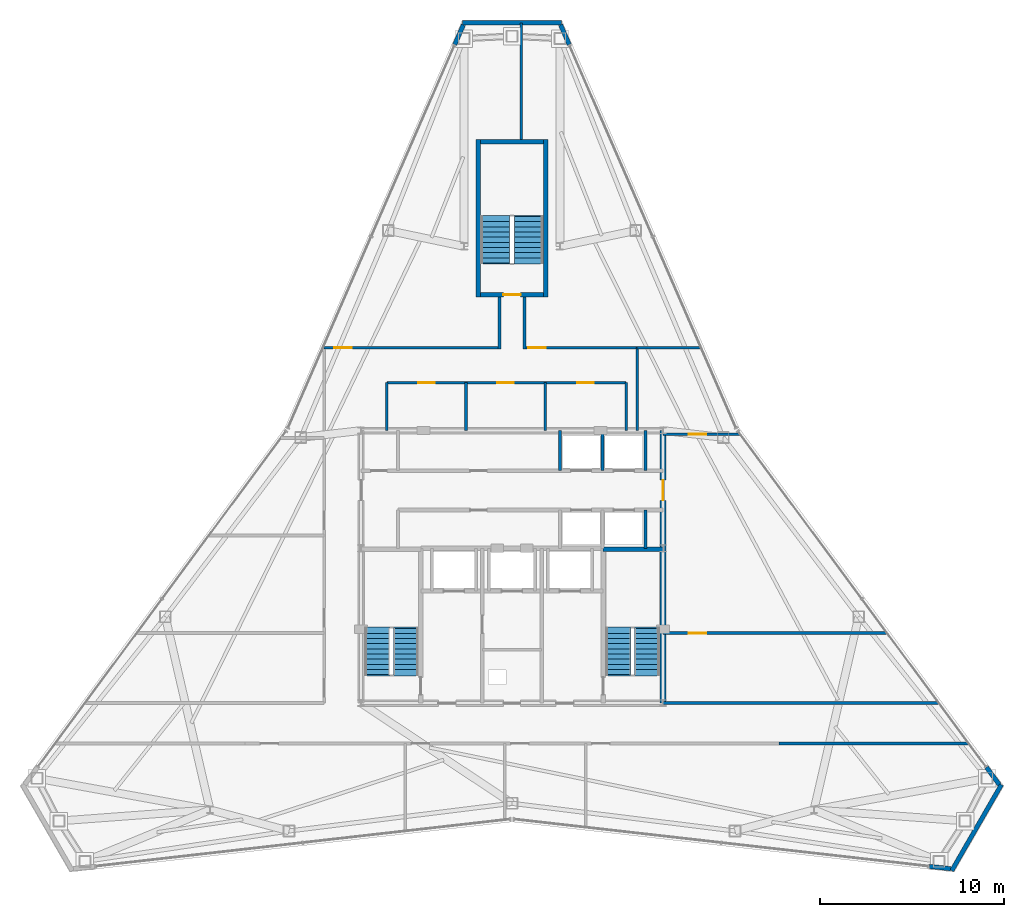
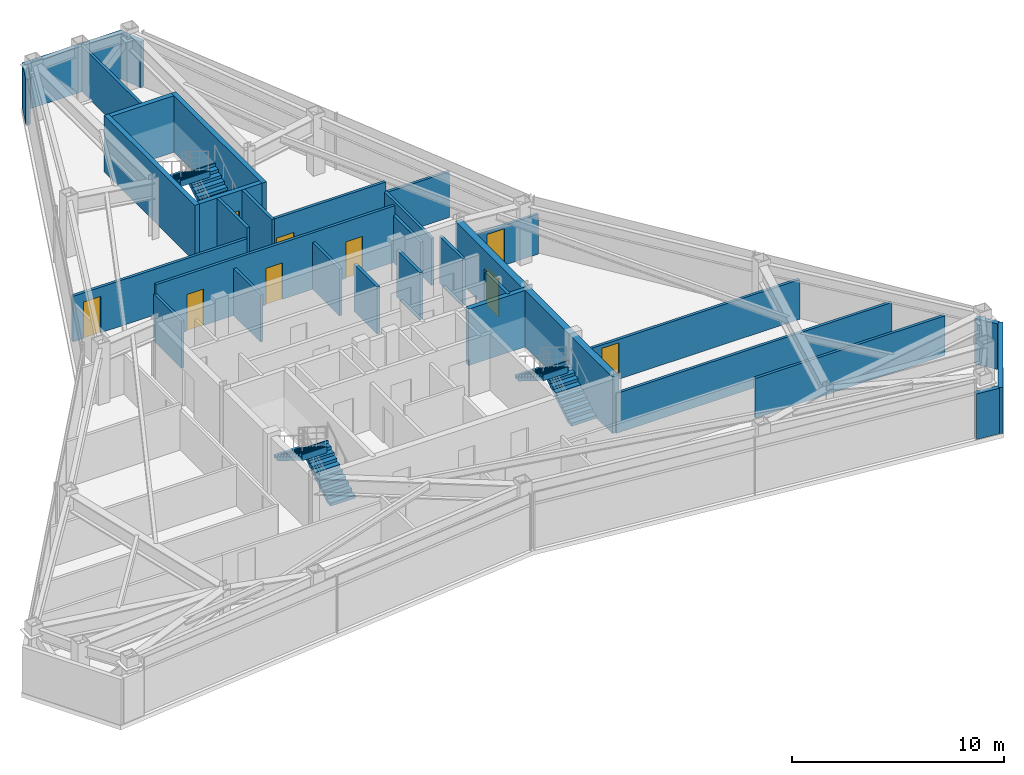
# One storey, part 10 of 11: 32 walls, 9 doors, 6 stair flights, 9 openings, 3 elements without a shape of their own.
"""IFC4 building model written with IfcOpenShell, lengths in metres."""

from ifc_helpers import new_model, si_unit, direction, frame, frame_2d, origin, place, context, subcontext, project, spatial, polyline, rectangle, outline, extrude, material, layer, layer_set, type_object, element, fill, aggregate, save


model = new_model("IFC4")

# Units and contexts
model_context = context("Model", 3, precision=1e-05, world=origin(), true_north=direction((0.0, 1.0)))
body_context = subcontext(model_context, "Body", "Model", "MODEL_VIEW")
ifc_project = project(units=[si_unit("LENGTHUNIT", "METRE"), si_unit("AREAUNIT", "SQUARE_METRE"), si_unit("VOLUMEUNIT", "CUBIC_METRE"), si_unit("PLANEANGLEUNIT", "RADIAN"), si_unit("MASSUNIT", "GRAM", prefix="KILO")], contexts=[model_context])

# Site, building, storey
site_placement = place(None, origin())
site = spatial("IfcSite", under=ifc_project, at=site_placement, CompositionType="ELEMENT")
building_placement = place(site_placement, origin())
building = spatial("IfcBuilding", under=site, at=building_placement, Name="Varakhsha Concourse Tower", CompositionType="ELEMENT")
storey_placement = place(building_placement, frame((0.0, 0.0, 279.5)))
storey = spatial("IfcBuildingStorey", under=building, at=storey_placement, Name="L79", CompositionType="ELEMENT", Elevation=279.5)

# Wall, opening, door
ifc_material_1 = material(Name="Concrete fc 65 MPa", Category="concrete")
ifc_layer_1 = layer(ifc_material_1, 0.35009765625, Name="WL-CORE-350")
ifc_layer_set_1 = layer_set([ifc_layer_1], Name="Concrete fc 65 MPa")
wall_type_1 = type_object("IfcWallType", Name="WL-CORE-350", PredefinedType="SHEAR", material=ifc_layer_set_1)
wall_1_placement = place(storey_placement, frame((48.199951171875, 16.39990234375, 0.0), z_axis=(0.0, 0.0, 1.0), x_axis=(0.0, 1.0, 0.0)))
wall_1 = element("IfcWall", 1, at=wall_1_placement, inside=storey, type_object=wall_type_1, Name="L79 Wall CWALL-E-L79", PredefinedType="SHEAR", context=body_context, shape_type="SweptSolid", body=[
    extrude(rectangle(XDim=14.800048828125, YDim=0.35009765625, at=frame_2d((7.39990234375, 0.0))), origin(), (0.0, 0.0, 1.0), 3.25),
])
opening_1_placement = place(wall_1_placement, frame((11.0, 0.0, 0.0)))
opening_1 = element("IfcOpeningElement", 2, at=opening_1_placement, cuts=wall_1, Name="Opening DL-01", PredefinedType="OPENING", context=body_context, shape_type="SweptSolid", body=[
    extrude(rectangle(XDim=1.10009765625, YDim=2.14990234375, at=frame_2d((0.550048828125, 1.074951171875))), frame((0.0, 0.18505859375, 0.0), z_axis=(0.0, -1.0, 0.0), x_axis=(1.0, 0.0, 0.0)), (0.0, 0.0, 1.0), 0.3701171875),
])
ifc_material_2 = material(Name="Anodised Bronze Architectural Aluminium AA 6063-T6", Category="aluminium")
door_type_1 = type_object("IfcDoorType", Name="DR-LOB-1100", OperationType="NOTDEFINED", PredefinedType="DOOR", material=ifc_material_2)
door_1_placement = place(opening_1_placement, origin())
door_1 = element("IfcDoor", 3, at=door_1_placement, inside=storey, type_object=door_type_1, Name="L79 Lift Lobby East Concourse Door", OperationType="SINGLE_SWING_RIGHT", OverallHeight=2.14990234375, OverallWidth=1.10009765625, PredefinedType="DOOR", context=body_context, shape_type="SweptSolid", body=[
    extrude(rectangle(XDim=1.10009765625, YDim=2.14990234375, at=frame_2d((0.550048828125, 1.074951171875))), frame((0.0, 0.02490234375, 0.0), z_axis=(0.0, -1.0, 0.0), x_axis=(1.0, 0.0, 0.0)), (0.0, 0.0, 1.0), 0.050048828125),
])
fill(opening_1, door_1)

# Walls
ifc_material_3 = material(Name="Concrete fc 45 MPa", Category="concrete")
ifc_layer_2 = layer(ifc_material_3, 0.239990234375, Name="WL-EXT-CRN-240")
ifc_layer_set_2 = layer_set([ifc_layer_2], Name="Concrete fc 45 MPa")
wall_type_2 = type_object("IfcWallType", Name="WL-EXT-CRN-240", PredefinedType="SHEAR", material=ifc_layer_set_2)
wall_2_placement = place(storey_placement, frame((37.300048828125, 53.3369140625, 0.0), z_axis=(0.0, 0.0, 1.0), x_axis=(1.0, 0.0, 0.0)))
element("IfcWall", 4, at=wall_2_placement, inside=storey, type_object=wall_type_2, Name="L79 Chamfer Wind-Corner Insulated Wall F1", PredefinedType="SHEAR", context=body_context, shape_type="SweptSolid", body=[
    extrude(rectangle(XDim=5.39990234375, YDim=0.239990234375, at=frame_2d((2.699951171875, 0.0))), origin(), (0.0, 0.0, 1.0), 2.623046875),
])
for number, where, z_axis, x_axis, name in (
    (5, (37.35888671875, 53.231201171875, 0.0), (0.0, 0.0, 1.0), (-0.398986072719, -0.916956985783, 0.0), "L79 Wind-Corner Shoulder Wall F2"),
    (6, (62.6611328125, 7.52880859375, 0.0), (0.0, 0.0, 1.0), (0.993628691443, -0.112703254353, 0.0), "L79 Wind-Corner Shoulder Wall F6"),
):
    element("IfcWall", number, at=place(storey_placement, frame(where, z_axis=z_axis, x_axis=x_axis)), inside=storey, type_object=wall_type_2, Name=name, PredefinedType="SHEAR", context=body_context, shape_type="SweptSolid", body=[
        extrude(rectangle(XDim=1.16748046875, YDim=0.239990234375, at=frame_2d((0.583740234375, 0.0))), origin(), (0.0, 0.0, 1.0), 2.623046875),
    ])
wall_3_placement = place(storey_placement, frame((66.5830078125, 11.969970703125, 0.0), z_axis=(0.0, 0.0, 1.0), x_axis=(-0.49997552693, -0.866039532857, 0.0)))
element("IfcWall", 7, at=wall_3_placement, inside=storey, type_object=wall_type_2, Name="L79 Chamfer Wind-Corner Insulated Wall F7", PredefinedType="SHEAR", context=body_context, shape_type="SweptSolid", body=[
    extrude(rectangle(XDim=5.400146484375, YDim=0.239990234375, at=frame_2d((2.7001953125, 0.0))), origin(), (0.0, 0.0, 1.0), 2.623046875),
])
for number, where, z_axis, x_axis, name in (
    (8, (66.46240234375, 11.9716796875, 0.0), (0.0, 0.0, 1.0), (-0.594532170537, 0.804071824029, 0.0), "L79 Wind-Corner Shoulder Wall F8"),
    (9, (43.10693359375, 52.16064453125, 0.0), (0.0, 0.0, 1.0), (-0.398986072719, 0.916956985783, 0.0), "L79 Wind-Corner Shoulder Wall F9"),
):
    element("IfcWall", number, at=place(storey_placement, frame(where, z_axis=z_axis, x_axis=x_axis)), inside=storey, type_object=wall_type_2, Name=name, PredefinedType="SHEAR", context=body_context, shape_type="SweptSolid", body=[
        extrude(rectangle(XDim=1.16748046875, YDim=0.239990234375, at=frame_2d((0.583740234375, 0.0))), origin(), (0.0, 0.0, 1.0), 2.623046875),
    ])

# Wall, openings, doors
ifc_material_4 = material(Name="Fire-Rated Type X Gypsum Partition Assembly", Category="gypsum")
ifc_layer_3 = layer(ifc_material_4, 0.14990234375, Name="WL-PART-150")
ifc_layer_set_3 = layer_set([ifc_layer_3], Name="Fire-Rated Type X Gypsum Partition Assembly")
wall_type_3 = type_object("IfcWallType", Name="WL-PART-150", PredefinedType="PARTITIONING", material=ifc_layer_set_3)
wall_4_placement = place(storey_placement, frame((33.199951171875, 33.800048828125, 0.0), z_axis=(0.0, 0.0, 1.0), x_axis=(1.0, 0.0, 0.0)))
wall_4 = element("IfcWall", 10, at=wall_4_placement, inside=storey, type_object=wall_type_3, Name="L79 Wall NBOH-N-L79", PredefinedType="PARTITIONING", context=body_context, shape_type="SweptSolid", body=[
    extrude(rectangle(XDim=13.0, YDim=0.14990234375, at=frame_2d((6.5, 0.0))), origin(), (0.0, 0.0, 1.0), 3.25),
])
opening_2_placement = place(wall_4_placement, frame((1.699951171875, 0.0, 0.0)))
opening_2 = element("IfcOpeningElement", 11, at=opening_2_placement, cuts=wall_4, Name="Opening DF-06", PredefinedType="OPENING", context=body_context, shape_type="SweptSolid", body=[
    extrude(rectangle(XDim=0.89990234375, YDim=2.10009765625, at=frame_2d((0.449951171875, 1.050048828125))), frame((0.0, 0.0849609375, 0.0), z_axis=(0.0, -1.0, 0.0), x_axis=(1.0, 0.0, 0.0)), (0.0, 0.0, 1.0), 0.169921875),
])
opening_3_placement = place(wall_4_placement, frame((6.0, 0.0, 0.0)))
opening_3 = element("IfcOpeningElement", 12, at=opening_3_placement, cuts=wall_4, Name="Opening DF-06", PredefinedType="OPENING", context=body_context, shape_type="SweptSolid", body=[
    extrude(rectangle(XDim=0.89990234375, YDim=2.10009765625, at=frame_2d((0.449951171875, 1.050048828125))), frame((0.0, 0.0849609375, 0.0), z_axis=(0.0, -1.0, 0.0), x_axis=(1.0, 0.0, 0.0)), (0.0, 0.0, 1.0), 0.169921875),
])
opening_4_placement = place(wall_4_placement, frame((10.35009765625, 0.0, 0.0)))
opening_4 = element("IfcOpeningElement", 13, at=opening_4_placement, cuts=wall_4, Name="Opening DF-06", PredefinedType="OPENING", context=body_context, shape_type="SweptSolid", body=[
    extrude(rectangle(XDim=0.89990234375, YDim=2.10009765625, at=frame_2d((0.449951171875, 1.050048828125))), frame((0.0, 0.0849609375, 0.0), z_axis=(0.0, -1.0, 0.0), x_axis=(1.0, 0.0, 0.0)), (0.0, 0.0, 1.0), 0.169921875),
])
ifc_material_5 = material(Name="Hollow Galvanised Steel Fire Door Assembly", Category="steel")
door_type_2 = type_object("IfcDoorType", Name="DR-FD60-900", OperationType="NOTDEFINED", PredefinedType="DOOR", material=ifc_material_5)
door_2_placement = place(opening_2_placement, origin())
door_2 = element("IfcDoor", 14, at=door_2_placement, inside=storey, type_object=door_type_2, Name="L79 Men Restroom WC Door", OperationType="SINGLE_SWING_LEFT", OverallHeight=2.10009765625, OverallWidth=0.89990234375, PredefinedType="DOOR", context=body_context, shape_type="SweptSolid", body=[
    extrude(rectangle(XDim=0.89990234375, YDim=2.10009765625, at=frame_2d((0.449951171875, 1.050048828125))), frame((0.0, 0.02490234375, 0.0), z_axis=(0.0, -1.0, 0.0), x_axis=(1.0, 0.0, 0.0)), (0.0, 0.0, 1.0), 0.050048828125),
])
fill(opening_2, door_2)
door_3_placement = place(opening_3_placement, origin())
door_3 = element("IfcDoor", 15, at=door_3_placement, inside=storey, type_object=door_type_2, Name="L79 Women Restroom WC Door", OperationType="SINGLE_SWING_RIGHT", OverallHeight=2.10009765625, OverallWidth=0.89990234375, PredefinedType="DOOR", context=body_context, shape_type="SweptSolid", body=[
    extrude(rectangle(XDim=0.89990234375, YDim=2.10009765625, at=frame_2d((0.449951171875, 1.050048828125))), frame((0.0, 0.02490234375, 0.0), z_axis=(0.0, -1.0, 0.0), x_axis=(1.0, 0.0, 0.0)), (0.0, 0.0, 1.0), 0.050048828125),
])
fill(opening_3, door_3)
door_4_placement = place(opening_4_placement, origin())
door_4 = element("IfcDoor", 16, at=door_4_placement, inside=storey, type_object=door_type_2, Name="L79 Accessible WC Door", OperationType="SINGLE_SWING_LEFT", OverallHeight=2.10009765625, OverallWidth=0.89990234375, PredefinedType="DOOR", context=body_context, shape_type="SweptSolid", body=[
    extrude(rectangle(XDim=0.89990234375, YDim=2.10009765625, at=frame_2d((0.449951171875, 1.050048828125))), frame((0.0, 0.02490234375, 0.0), z_axis=(0.0, -1.0, 0.0), x_axis=(1.0, 0.0, 0.0)), (0.0, 0.0, 1.0), 0.050048828125),
])
fill(opening_4, door_4)

# Walls
for number, where, z_axis, x_axis, name in (
    (17, (33.199951171875, 31.199951171875, 0.0), (0.0, 0.0, 1.0), (0.0, 1.0, 0.0), "L79 Wall NBOH-W-L79"),
    (18, (46.199951171875, 31.199951171875, 0.0), (0.0, 0.0, 1.0), (0.0, 1.0, 0.0), "L79 Wall NBOH-E-L79"),
    (19, (37.5, 31.199951171875, 0.0), (0.0, 0.0, 1.0), (0.0, 1.0, 0.0), "L79 Wall NBOH-D1-L79"),
    (20, (41.800048828125, 31.199951171875, 0.0), (0.0, 0.0, 1.0), (0.0, 1.0, 0.0), "L79 Wall NBOH-D2-L79"),
):
    element("IfcWall", number, at=place(storey_placement, frame(where, z_axis=z_axis, x_axis=x_axis)), inside=storey, type_object=wall_type_3, Name=name, PredefinedType="PARTITIONING", context=body_context, shape_type="SweptSolid", body=[
        extrude(rectangle(XDim=2.60009765625, YDim=0.14990234375, at=frame_2d((1.300048828125, 0.0))), origin(), (0.0, 0.0, 1.0), 2.705078125),
    ])
wall_5_placement = place(storey_placement, frame((54.5, 14.199951171875, 0.0), z_axis=(0.0, 0.0, 1.0), x_axis=(1.0, 0.0, 0.0)))
element("IfcWall", 21, at=wall_5_placement, inside=storey, type_object=wall_type_3, Name="L79 Wall CRW-SGAL-SE-L79", PredefinedType="PARTITIONING", context=body_context, shape_type="SweptSolid", body=[
    extrude(rectangle(XDim=10.308349609375, YDim=0.14990234375, at=frame_2d((5.154296875, 0.0))), origin(), (0.0, 0.0, 1.0), 2.2919921875),
])
wall_6_placement = place(storey_placement, frame((48.199951171875, 16.39990234375, 0.0), z_axis=(0.0, 0.0, 1.0), x_axis=(1.0, 0.0, 0.0)))
element("IfcWall", 22, at=wall_6_placement, inside=storey, type_object=wall_type_3, Name="L79 Wall CRW-SGAL-NE-L79", PredefinedType="PARTITIONING", context=body_context, shape_type="SweptSolid", body=[
    extrude(rectangle(XDim=14.981689453125, YDim=0.14990234375, at=frame_2d((7.49072265625, 0.0))), origin(), (0.0, 0.0, 1.0), 2.2919921875),
])

# Wall, opening, door
wall_7_placement = place(storey_placement, frame((29.800048828125, 35.699951171875, 0.0), z_axis=(0.0, 0.0, 1.0), x_axis=(1.0, 0.0, 0.0)))
wall_7 = element("IfcWall", 23, at=wall_7_placement, inside=storey, type_object=wall_type_3, Name="L79 Wall CRW-N-L79", PredefinedType="PARTITIONING", context=body_context, shape_type="SweptSolid", body=[
    extrude(rectangle(XDim=9.449951171875, YDim=0.14990234375, at=frame_2d((4.72509765625, 0.0))), origin(), (0.0, 0.0, 1.0), 2.6279296875),
])
opening_5_placement = place(wall_7_placement, frame((0.550048828125, 0.0, 0.0)))
opening_5 = element("IfcOpeningElement", 24, at=opening_5_placement, cuts=wall_7, Name="Opening DF-05", PredefinedType="OPENING", context=body_context, shape_type="SweptSolid", body=[
    extrude(rectangle(XDim=0.949951171875, YDim=2.10009765625, at=frame_2d((0.47509765625, 1.050048828125))), frame((0.0, 0.0849609375, 0.0), z_axis=(0.0, -1.0, 0.0), x_axis=(1.0, 0.0, 0.0)), (0.0, 0.0, 1.0), 0.169921875),
])
door_type_3 = type_object("IfcDoorType", Name="DR-FD60-950", OperationType="NOTDEFINED", PredefinedType="DOOR", material=ifc_material_5)
door_5_placement = place(opening_5_placement, origin())
door_5 = element("IfcDoor", 25, at=door_5_placement, inside=storey, type_object=door_type_3, Name="L79 Mountain View Grand Corner Boardroom L79-N1 Door", OperationType="SINGLE_SWING_LEFT", OverallHeight=2.10009765625, OverallWidth=0.949951171875, PredefinedType="DOOR", context=body_context, shape_type="SweptSolid", body=[
    extrude(rectangle(XDim=0.949951171875, YDim=2.10009765625, at=frame_2d((0.47509765625, 1.050048828125))), frame((0.0, 0.02490234375, 0.0), z_axis=(0.0, -1.0, 0.0), x_axis=(1.0, 0.0, 0.0)), (0.0, 0.0, 1.0), 0.050048828125),
])
fill(opening_5, door_5)

wall_8_placement = place(storey_placement, frame((40.75, 35.699951171875, 0.0), z_axis=(0.0, 0.0, 1.0), x_axis=(1.0, 0.0, 0.0)))
wall_8 = element("IfcWall", 26, at=wall_8_placement, inside=storey, type_object=wall_type_3, Name="L79 Wall CRW-N-L79-B", PredefinedType="PARTITIONING", context=body_context, shape_type="SweptSolid", body=[
    extrude(rectangle(XDim=6.050048828125, YDim=0.14990234375, at=frame_2d((3.02490234375, 0.0))), origin(), (0.0, 0.0, 1.0), 3.25),
])
opening_6_placement = place(wall_8_placement, frame((0.1201171875, 0.0, 0.0)))
opening_6 = element("IfcOpeningElement", 27, at=opening_6_placement, cuts=wall_8, Name="Opening DF-05", PredefinedType="OPENING", context=body_context, shape_type="SweptSolid", body=[
    extrude(rectangle(XDim=0.949951171875, YDim=2.10009765625, at=frame_2d((0.47509765625, 1.050048828125))), frame((0.0, 0.0849609375, 0.0), z_axis=(0.0, -1.0, 0.0), x_axis=(1.0, 0.0, 0.0)), (0.0, 0.0, 1.0), 0.169921875),
])
door_6_placement = place(opening_6_placement, origin())
door_6 = element("IfcDoor", 28, at=door_6_placement, inside=storey, type_object=door_type_3, Name="L79 North Executive Director Suite L79-N2 Door", OperationType="SINGLE_SWING_RIGHT", OverallHeight=2.10009765625, OverallWidth=0.949951171875, PredefinedType="DOOR", context=body_context, shape_type="SweptSolid", body=[
    extrude(rectangle(XDim=0.949951171875, YDim=2.10009765625, at=frame_2d((0.47509765625, 1.050048828125))), frame((0.0, 0.02490234375, 0.0), z_axis=(0.0, -1.0, 0.0), x_axis=(1.0, 0.0, 0.0)), (0.0, 0.0, 1.0), 0.050048828125),
])
fill(opening_6, door_6)

# Walls
wall_9_placement = place(storey_placement, frame((46.800048828125, 31.199951171875, 0.0), z_axis=(0.0, 0.0, 1.0), x_axis=(0.0, 1.0, 0.0)))
element("IfcWall", 29, at=wall_9_placement, inside=storey, type_object=wall_type_3, Name="L79 Wall CRW-NE-L79", PredefinedType="PARTITIONING", context=body_context, shape_type="SweptSolid", body=[
    extrude(rectangle(XDim=4.5, YDim=0.14990234375, at=frame_2d((2.25, 0.0))), origin(), (0.0, 0.0, 1.0), 2.705078125),
])
wall_10_placement = place(storey_placement, frame((46.800048828125, 35.699951171875, 0.0), z_axis=(0.0, 0.0, 1.0), x_axis=(1.0, 0.0, 0.0)))
element("IfcWall", 30, at=wall_10_placement, inside=storey, type_object=wall_type_3, Name="L79 Wall ODIV-EBN-L79", PredefinedType="PARTITIONING", context=body_context, shape_type="SweptSolid", body=[
    extrude(rectangle(XDim=3.466064453125, YDim=0.14990234375, at=frame_2d((1.73291015625, 0.0))), origin(), (0.0, 0.0, 1.0), 2.6279296875),
])

# Wall, opening, door
wall_11_placement = place(storey_placement, frame((48.199951171875, 20.199951171875, 0.0), z_axis=(0.0, 0.0, 1.0), x_axis=(1.0, 0.0, 0.0)))
wall_11 = element("IfcWall", 31, at=wall_11_placement, inside=storey, type_object=wall_type_3, Name="L79 Wall ODIV-E1-L79", PredefinedType="PARTITIONING", context=body_context, shape_type="SweptSolid", body=[
    extrude(rectangle(XDim=12.172119140625, YDim=0.14990234375, at=frame_2d((6.0859375, 0.0))), origin(), (0.0, 0.0, 1.0), 2.2919921875),
])
opening_7_placement = place(wall_11_placement, frame((1.39990234375, 0.0, 0.0)))
opening_7 = element("IfcOpeningElement", 32, at=opening_7_placement, cuts=wall_11, Name="Opening DF-05", PredefinedType="OPENING", context=body_context, shape_type="SweptSolid", body=[
    extrude(rectangle(XDim=0.949951171875, YDim=2.10009765625, at=frame_2d((0.47509765625, 1.050048828125))), frame((0.0, 0.0849609375, 0.0), z_axis=(0.0, -1.0, 0.0), x_axis=(1.0, 0.0, 0.0)), (0.0, 0.0, 1.0), 0.169921875),
])
door_7_placement = place(opening_7_placement, origin())
door_7 = element("IfcDoor", 33, at=door_7_placement, inside=storey, type_object=door_type_3, Name="L79 East Suite Interconnect Door 1", OperationType="SINGLE_SWING_LEFT", OverallHeight=2.10009765625, OverallWidth=0.949951171875, PredefinedType="DOOR", context=body_context, shape_type="SweptSolid", body=[
    extrude(rectangle(XDim=0.949951171875, YDim=2.10009765625, at=frame_2d((0.47509765625, 1.050048828125))), frame((0.0, 0.02490234375, 0.0), z_axis=(0.0, -1.0, 0.0), x_axis=(1.0, 0.0, 0.0)), (0.0, 0.0, 1.0), 0.050048828125),
])
fill(opening_7, door_7)

wall_12_placement = place(storey_placement, frame((48.199951171875, 31.0, 0.0), z_axis=(0.0, 0.0, 1.0), x_axis=(1.0, 0.0, 0.0)))
wall_12 = element("IfcWall", 34, at=wall_12_placement, inside=storey, type_object=wall_type_3, Name="L79 Wall ODIV-E2-L79", PredefinedType="PARTITIONING", context=body_context, shape_type="SweptSolid", body=[
    extrude(rectangle(XDim=4.186767578125, YDim=0.14990234375, at=frame_2d((2.09326171875, 0.0))), origin(), (0.0, 0.0, 1.0), 2.2919921875),
])
opening_8_placement = place(wall_12_placement, frame((1.39990234375, 0.0, 0.0)))
opening_8 = element("IfcOpeningElement", 35, at=opening_8_placement, cuts=wall_12, Name="Opening DF-05", PredefinedType="OPENING", context=body_context, shape_type="SweptSolid", body=[
    extrude(rectangle(XDim=0.949951171875, YDim=2.10009765625, at=frame_2d((0.47509765625, 1.050048828125))), frame((0.0, 0.0849609375, 0.0), z_axis=(0.0, -1.0, 0.0), x_axis=(1.0, 0.0, 0.0)), (0.0, 0.0, 1.0), 0.169921875),
])
door_8_placement = place(opening_8_placement, origin())
door_8 = element("IfcDoor", 36, at=door_8_placement, inside=storey, type_object=door_type_3, Name="L79 East Suite Interconnect Door 2", OperationType="SINGLE_SWING_RIGHT", OverallHeight=2.10009765625, OverallWidth=0.949951171875, PredefinedType="DOOR", context=body_context, shape_type="SweptSolid", body=[
    extrude(rectangle(XDim=0.949951171875, YDim=2.10009765625, at=frame_2d((0.47509765625, 1.050048828125))), frame((0.0, 0.02490234375, 0.0), z_axis=(0.0, -1.0, 0.0), x_axis=(1.0, 0.0, 0.0)), (0.0, 0.0, 1.0), 0.050048828125),
])
fill(opening_8, door_8)

# Walls
wall_13_placement = place(storey_placement, frame((40.5, 47.0, 0.0), z_axis=(0.0, 0.0, 1.0), x_axis=(0.0, 1.0, 0.0)))
element("IfcWall", 37, at=wall_13_placement, inside=storey, type_object=wall_type_3, Name="L79 Wall ODIV-N1-L79", PredefinedType="PARTITIONING", context=body_context, shape_type="SweptSolid", body=[
    extrude(rectangle(XDim=6.331787109375, YDim=0.14990234375, at=frame_2d((3.166015625, 0.0))), origin(), (0.0, 0.0, 1.0), 2.6279296875),
])
for number, where, z_axis, x_axis, name in (
    (38, (39.324951171875, 35.625, 0.0), (0.0, 0.0, 1.0), (0.0, 1.0, 0.0), "L79 Wall STUB-W-L79"),
    (39, (40.675048828125, 35.625, 0.0), (0.0, 0.0, 1.0), (0.0, 1.0, 0.0), "L79 Wall STUB-E-L79"),
):
    element("IfcWall", number, at=place(storey_placement, frame(where, z_axis=z_axis, x_axis=x_axis)), inside=storey, type_object=wall_type_3, Name=name, PredefinedType="PARTITIONING", context=body_context, shape_type="SweptSolid", body=[
        extrude(rectangle(XDim=2.824951171875, YDim=0.14990234375, at=frame_2d((1.41259765625, 0.0))), origin(), (0.0, 0.0, 1.0), 3.25),
    ])
ifc_layer_4 = layer(ifc_material_4, 0.199951171875, Name="WL-SHAFT-220")
ifc_layer_set_4 = layer_set([ifc_layer_4], Name="Fire-Rated Type X Gypsum Partition Assembly")
wall_type_4 = type_object("IfcWallType", Name="WL-SHAFT-220", PredefinedType="SOLIDWALL", material=ifc_layer_set_4)
for number, where, z_axis, x_axis, name in (
    (40, (42.60009765625, 29.02001953125, 0.0), (0.0, 0.0, 1.0), (0.0, 1.0, 0.0), "L79 Wall SHW-LF-P09-W-L79"),
    (41, (44.919921875, 29.02001953125, 0.0), (0.0, 0.0, 1.0), (0.0, 1.0, 0.0), "L79 Wall SHW-LF-P09-E-L79"),
    (42, (47.239990234375, 29.02001953125, 0.0), (0.0, 0.0, 1.0), (0.0, 1.0, 0.0), "L79 Wall SHW-LF-P10-E-L79"),
):
    element("IfcWall", number, at=place(storey_placement, frame(where, z_axis=z_axis, x_axis=x_axis)), inside=storey, type_object=wall_type_4, Name=name, PredefinedType="SOLIDWALL", context=body_context, shape_type="SweptSolid", body=[
        extrude(rectangle(XDim=2.179931640625, YDim=0.159912109375, at=frame_2d((1.08984375, 0.0))), origin(), (0.0, 0.0, 1.0), 2.705078125),
    ])
wall_14_placement = place(storey_placement, frame((47.239990234375, 24.800048828125, 0.0), z_axis=(0.0, 0.0, 1.0), x_axis=(0.0, 1.0, 0.0)))
element("IfcWall", 43, at=wall_14_placement, inside=storey, type_object=wall_type_4, Name="L79 Wall SHW-LF-P12-E-L79", PredefinedType="SOLIDWALL", context=body_context, shape_type="SweptSolid", body=[
    extrude(rectangle(XDim=2.079833984375, YDim=0.159912109375, at=frame_2d((1.0400390625, 0.0))), origin(), (0.0, 0.0, 1.0), 3.25),
])
ifc_layer_5 = layer(ifc_material_3, 0.25, Name="WL-STAIR-250")
ifc_layer_set_5 = layer_set([ifc_layer_5], Name="Concrete fc 45 MPa")
wall_type_5 = type_object("IfcWallType", Name="WL-STAIR-250", PredefinedType="SHEAR", material=ifc_layer_set_5)
wall_15_placement = place(storey_placement, frame((44.955078125, 24.7548828125, 0.0), z_axis=(0.0, 0.0, 1.0), x_axis=(1.0, 0.0, 0.0)))
element("IfcWall", 44, at=wall_15_placement, inside=storey, type_object=wall_type_5, Name="L79 Wall SWALL-ST2-N-L79", PredefinedType="SHEAR", context=body_context, shape_type="SweptSolid", body=[
    extrude(rectangle(XDim=3.244873046875, YDim=0.25, at=frame_2d((1.62255859375, 0.0))), origin(), (0.0, 0.0, 1.0), 3.25),
])
for number, where, z_axis, x_axis, name in (
    (45, (38.175048828125, 38.449951171875, 0.0), (0.0, 0.0, 1.0), (0.0, 1.0, 0.0), "L79 Wall SWALL-ST5-W-L79"),
    (46, (41.824951171875, 38.449951171875, 0.0), (0.0, 0.0, 1.0), (0.0, 1.0, 0.0), "L79 Wall SWALL-ST5-E-L79"),
):
    element("IfcWall", number, at=place(storey_placement, frame(where, z_axis=z_axis, x_axis=x_axis)), inside=storey, type_object=wall_type_5, Name=name, PredefinedType="SHEAR", context=body_context, shape_type="SweptSolid", body=[
        extrude(rectangle(XDim=8.550048828125, YDim=0.25, at=frame_2d((4.27490234375, 0.0))), origin(), (0.0, 0.0, 1.0), 3.25),
    ])

# Wall, opening, door
wall_16_placement = place(storey_placement, frame((38.300048828125, 38.574951171875, 0.0), z_axis=(0.0, 0.0, 1.0), x_axis=(1.0, 0.0, 0.0)))
wall_16 = element("IfcWall", 47, at=wall_16_placement, inside=storey, type_object=wall_type_5, Name="L79 Wall SWALL-ST5-S-L79", PredefinedType="SHEAR", context=body_context, shape_type="SweptSolid", body=[
    extrude(rectangle(XDim=3.39990234375, YDim=0.25, at=frame_2d((1.699951171875, 0.0))), origin(), (0.0, 0.0, 1.0), 3.25),
])
opening_9_placement = place(wall_16_placement, frame((1.22509765625, 0.0, 0.0)))
opening_9 = element("IfcOpeningElement", 48, at=opening_9_placement, cuts=wall_16, Name="Opening DF-03", PredefinedType="OPENING", context=body_context, shape_type="SweptSolid", body=[
    extrude(rectangle(XDim=0.949951171875, YDim=2.10009765625, at=frame_2d((0.47509765625, 1.050048828125))), frame((0.0, 0.135009765625, 0.0), z_axis=(0.0, -1.0, 0.0), x_axis=(1.0, 0.0, 0.0)), (0.0, 0.0, 1.0), 0.27001953125),
])
door_type_4 = type_object("IfcDoorType", Name="DR-FD90-950", OperationType="NOTDEFINED", PredefinedType="DOOR", material=ifc_material_5)
door_9_placement = place(opening_9_placement, origin())
door_9 = element("IfcDoor", 49, at=door_9_placement, inside=storey, type_object=door_type_4, Name="L79 Stair ST5 Fire Door", OperationType="SINGLE_SWING_RIGHT", OverallHeight=2.10009765625, OverallWidth=0.949951171875, PredefinedType="DOOR", context=body_context, shape_type="SweptSolid", body=[
    extrude(rectangle(XDim=0.949951171875, YDim=2.10009765625, at=frame_2d((0.47509765625, 1.050048828125))), frame((0.0, 0.02490234375, 0.0), z_axis=(0.0, -1.0, 0.0), x_axis=(1.0, 0.0, 0.0)), (0.0, 0.0, 1.0), 0.050048828125),
])
fill(opening_9, door_9)

# Wall
wall_17_placement = place(storey_placement, frame((38.300048828125, 46.875, 0.0), z_axis=(0.0, 0.0, 1.0), x_axis=(1.0, 0.0, 0.0)))
element("IfcWall", 50, at=wall_17_placement, inside=storey, type_object=wall_type_5, Name="L79 Wall SWALL-ST5-N-L79", PredefinedType="SHEAR", context=body_context, shape_type="SweptSolid", body=[
    extrude(rectangle(XDim=3.39990234375, YDim=0.25, at=frame_2d((1.699951171875, 0.0))), origin(), (0.0, 0.0, 1.0), 3.25),
])

# Stair, stair flights
stair_type_1 = type_object("IfcStairType", Name="ST-DOGLEG-1360", PredefinedType="HALF_TURN_STAIR", material=ifc_material_3)
stair_1_placement = place(storey_placement, origin())
stair_1 = element("IfcStair", 51, at=stair_1_placement, inside=storey, type_object=stair_type_1, Name="L79 Protected Exit Stair ST1", PredefinedType="HALF_TURN_STAIR")
stair_flight_type_1 = type_object("IfcStairFlightType", Name="STF-1360-R1750", PredefinedType="STRAIGHT", material=ifc_material_3)
stair_flight_1_placement = place(storey_placement, frame((34.239990234375, 17.93994140625, 0.0), z_axis=(0.0, 0.0, 1.0), x_axis=(0.0, 1.0, 0.0)))
stair_flight_1 = element("IfcStairFlight", 52, at=stair_flight_1_placement, type_object=stair_flight_type_1, Name="ST1 flight 1", NumberOfRisers=10, NumberOfTreads=9, PredefinedType="STRAIGHT", RiserHeight=0.175, TreadLength=0.28, context=body_context, shape_type="SweptSolid", body=[
    extrude(outline(polyline([(-0.06005859375, 0.0), (-0.06005859375, 0.175048828125), (0.0, 0.175048828125), (0.280029296875, 0.175048828125), (0.280029296875, 0.35009765625), (0.56005859375, 0.35009765625), (0.56005859375, 0.52490234375), (0.840087890625, 0.52490234375), (0.840087890625, 0.699951171875), (1.1201171875, 0.699951171875), (1.1201171875, 0.875), (1.39990234375, 0.875), (1.39990234375, 1.050048828125), (1.679931640625, 1.050048828125), (1.679931640625, 1.22509765625), (1.9599609375, 1.22509765625), (1.9599609375, 1.39990234375), (2.239990234375, 1.39990234375), (2.239990234375, 1.574951171875), (2.52001953125, 1.574951171875), (2.52001953125, 1.75), (2.580078125, 1.75), (2.580078125, 1.398193359375), (2.52001953125, 1.398193359375), (0.28271484375, 0.0), (-0.06005859375, 0.0)])), frame((0.0, 0.68017578125, 0.0), z_axis=(0.0, -1.0, 0.0), x_axis=(1.0, 0.0, 0.0)), (0.0, 0.0, 1.0), 1.360107421875),
])
stair_flight_2_placement = place(storey_placement, frame((32.679931640625, 20.4599609375, 1.75), z_axis=(0.0, 0.0, 1.0), x_axis=(0.0, -1.0, 0.0)))
stair_flight_2 = element("IfcStairFlight", 53, at=stair_flight_2_placement, type_object=stair_flight_type_1, Name="ST1 flight 2", NumberOfRisers=10, NumberOfTreads=9, PredefinedType="STRAIGHT", RiserHeight=0.175, TreadLength=0.28, context=body_context, shape_type="SweptSolid", body=[
    extrude(outline(polyline([(-0.06005859375, 0.0), (-0.06005859375, 0.175048828125), (0.0, 0.175048828125), (0.280029296875, 0.175048828125), (0.280029296875, 0.35009765625), (0.56005859375, 0.35009765625), (0.56005859375, 0.52490234375), (0.840087890625, 0.52490234375), (0.840087890625, 0.699951171875), (1.1201171875, 0.699951171875), (1.1201171875, 0.875), (1.39990234375, 0.875), (1.39990234375, 1.050048828125), (1.679931640625, 1.050048828125), (1.679931640625, 1.22509765625), (1.9599609375, 1.22509765625), (1.9599609375, 1.39990234375), (2.239990234375, 1.39990234375), (2.239990234375, 1.574951171875), (2.52001953125, 1.574951171875), (2.52001953125, 1.75), (2.580078125, 1.75), (2.580078125, 1.398193359375), (2.52001953125, 1.398193359375), (0.28271484375, 0.0), (-0.06005859375, 0.0)])), frame((0.0, 0.68017578125, 0.0), z_axis=(0.0, -1.0, 0.0), x_axis=(1.0, 0.0, 0.0)), (0.0, 0.0, 1.0), 1.360107421875),
])
aggregate(stair_1, [stair_flight_1, stair_flight_2])

stair_2_placement = place(storey_placement, origin())
stair_2 = element("IfcStair", 54, at=stair_2_placement, inside=storey, type_object=stair_type_1, Name="L79 Protected Exit Stair ST2", PredefinedType="HALF_TURN_STAIR")
stair_flight_3_placement = place(storey_placement, frame((47.340087890625, 17.93994140625, 0.0), z_axis=(0.0, 0.0, 1.0), x_axis=(0.0, 1.0, 0.0)))
stair_flight_3 = element("IfcStairFlight", 55, at=stair_flight_3_placement, type_object=stair_flight_type_1, Name="ST2 flight 1", NumberOfRisers=10, NumberOfTreads=9, PredefinedType="STRAIGHT", RiserHeight=0.175, TreadLength=0.28, context=body_context, shape_type="SweptSolid", body=[
    extrude(outline(polyline([(-0.06005859375, 0.0), (-0.06005859375, 0.175048828125), (0.0, 0.175048828125), (0.280029296875, 0.175048828125), (0.280029296875, 0.35009765625), (0.56005859375, 0.35009765625), (0.56005859375, 0.52490234375), (0.840087890625, 0.52490234375), (0.840087890625, 0.699951171875), (1.1201171875, 0.699951171875), (1.1201171875, 0.875), (1.39990234375, 0.875), (1.39990234375, 1.050048828125), (1.679931640625, 1.050048828125), (1.679931640625, 1.22509765625), (1.9599609375, 1.22509765625), (1.9599609375, 1.39990234375), (2.239990234375, 1.39990234375), (2.239990234375, 1.574951171875), (2.52001953125, 1.574951171875), (2.52001953125, 1.75), (2.580078125, 1.75), (2.580078125, 1.398193359375), (2.52001953125, 1.398193359375), (0.28271484375, 0.0), (-0.06005859375, 0.0)])), frame((0.0, 0.68017578125, 0.0), z_axis=(0.0, -1.0, 0.0), x_axis=(1.0, 0.0, 0.0)), (0.0, 0.0, 1.0), 1.360107421875),
])
stair_flight_4_placement = place(storey_placement, frame((45.780029296875, 20.4599609375, 1.75), z_axis=(0.0, 0.0, 1.0), x_axis=(0.0, -1.0, 0.0)))
stair_flight_4 = element("IfcStairFlight", 56, at=stair_flight_4_placement, type_object=stair_flight_type_1, Name="ST2 flight 2", NumberOfRisers=10, NumberOfTreads=9, PredefinedType="STRAIGHT", RiserHeight=0.175, TreadLength=0.28, context=body_context, shape_type="SweptSolid", body=[
    extrude(outline(polyline([(-0.06005859375, 0.0), (-0.06005859375, 0.175048828125), (0.0, 0.175048828125), (0.280029296875, 0.175048828125), (0.280029296875, 0.35009765625), (0.56005859375, 0.35009765625), (0.56005859375, 0.52490234375), (0.840087890625, 0.52490234375), (0.840087890625, 0.699951171875), (1.1201171875, 0.699951171875), (1.1201171875, 0.875), (1.39990234375, 0.875), (1.39990234375, 1.050048828125), (1.679931640625, 1.050048828125), (1.679931640625, 1.22509765625), (1.9599609375, 1.22509765625), (1.9599609375, 1.39990234375), (2.239990234375, 1.39990234375), (2.239990234375, 1.574951171875), (2.52001953125, 1.574951171875), (2.52001953125, 1.75), (2.580078125, 1.75), (2.580078125, 1.398193359375), (2.52001953125, 1.398193359375), (0.28271484375, 0.0), (-0.06005859375, 0.0)])), frame((0.0, 0.68017578125, 0.0), z_axis=(0.0, -1.0, 0.0), x_axis=(1.0, 0.0, 0.0)), (0.0, 0.0, 1.0), 1.360107421875),
])
aggregate(stair_2, [stair_flight_3, stair_flight_4])

stair_type_2 = type_object("IfcStairType", Name="ST-DOGLEG-1600", PredefinedType="HALF_TURN_STAIR", material=ifc_material_3)
stair_3_placement = place(storey_placement, origin())
stair_3 = element("IfcStair", 57, at=stair_3_placement, inside=storey, type_object=stair_type_2, Name="L79 Protected Exit Stair ST5", PredefinedType="HALF_TURN_STAIR")
stair_flight_type_2 = type_object("IfcStairFlightType", Name="STF-1600-R1750", PredefinedType="STRAIGHT", material=ifc_material_3)
stair_flight_5_placement = place(storey_placement, frame((40.89990234375, 40.300048828125, 0.0), z_axis=(0.0, 0.0, 1.0), x_axis=(0.0, 1.0, 0.0)))
stair_flight_5 = element("IfcStairFlight", 58, at=stair_flight_5_placement, type_object=stair_flight_type_2, Name="ST5 flight 1", NumberOfRisers=10, NumberOfTreads=9, PredefinedType="STRAIGHT", RiserHeight=0.175, TreadLength=0.28, context=body_context, shape_type="SweptSolid", body=[
    extrude(outline(polyline([(-0.06005859375, 0.0), (-0.06005859375, 0.175048828125), (0.0, 0.175048828125), (0.280029296875, 0.175048828125), (0.280029296875, 0.35009765625), (0.56005859375, 0.35009765625), (0.56005859375, 0.52490234375), (0.840087890625, 0.52490234375), (0.840087890625, 0.699951171875), (1.1201171875, 0.699951171875), (1.1201171875, 0.875), (1.39990234375, 0.875), (1.39990234375, 1.050048828125), (1.679931640625, 1.050048828125), (1.679931640625, 1.22509765625), (1.9599609375, 1.22509765625), (1.9599609375, 1.39990234375), (2.239990234375, 1.39990234375), (2.239990234375, 1.574951171875), (2.52001953125, 1.574951171875), (2.52001953125, 1.75), (2.580078125, 1.75), (2.580078125, 1.398193359375), (2.52001953125, 1.398193359375), (0.28271484375, 0.0), (-0.06005859375, 0.0)])), frame((0.0, 0.800048828125, 0.0), z_axis=(0.0, -1.0, 0.0), x_axis=(1.0, 0.0, 0.0)), (0.0, 0.0, 1.0), 1.60009765625),
])
stair_flight_6_placement = place(storey_placement, frame((39.10009765625, 42.820068359375, 1.75), z_axis=(0.0, 0.0, 1.0), x_axis=(0.0, -1.0, 0.0)))
stair_flight_6 = element("IfcStairFlight", 59, at=stair_flight_6_placement, type_object=stair_flight_type_2, Name="ST5 flight 2", NumberOfRisers=10, NumberOfTreads=9, PredefinedType="STRAIGHT", RiserHeight=0.175, TreadLength=0.28, context=body_context, shape_type="SweptSolid", body=[
    extrude(outline(polyline([(-0.06005859375, 0.0), (-0.06005859375, 0.175048828125), (0.0, 0.175048828125), (0.280029296875, 0.175048828125), (0.280029296875, 0.35009765625), (0.56005859375, 0.35009765625), (0.56005859375, 0.52490234375), (0.840087890625, 0.52490234375), (0.840087890625, 0.699951171875), (1.1201171875, 0.699951171875), (1.1201171875, 0.875), (1.39990234375, 0.875), (1.39990234375, 1.050048828125), (1.679931640625, 1.050048828125), (1.679931640625, 1.22509765625), (1.9599609375, 1.22509765625), (1.9599609375, 1.39990234375), (2.239990234375, 1.39990234375), (2.239990234375, 1.574951171875), (2.52001953125, 1.574951171875), (2.52001953125, 1.75), (2.580078125, 1.75), (2.580078125, 1.398193359375), (2.52001953125, 1.398193359375), (0.28271484375, 0.0), (-0.06005859375, 0.0)])), frame((0.0, 0.800048828125, 0.0), z_axis=(0.0, -1.0, 0.0), x_axis=(1.0, 0.0, 0.0)), (0.0, 0.0, 1.0), 1.60009765625),
])
aggregate(stair_3, [stair_flight_5, stair_flight_6])

save(model, "model.ifc")
